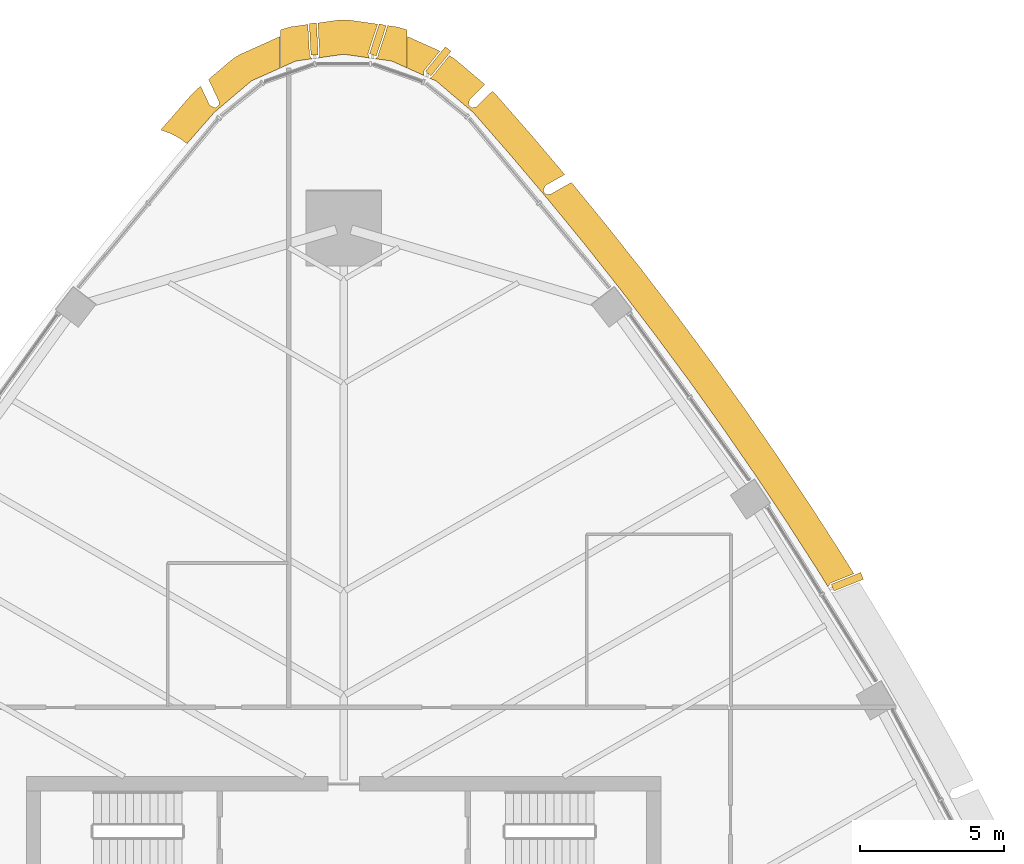
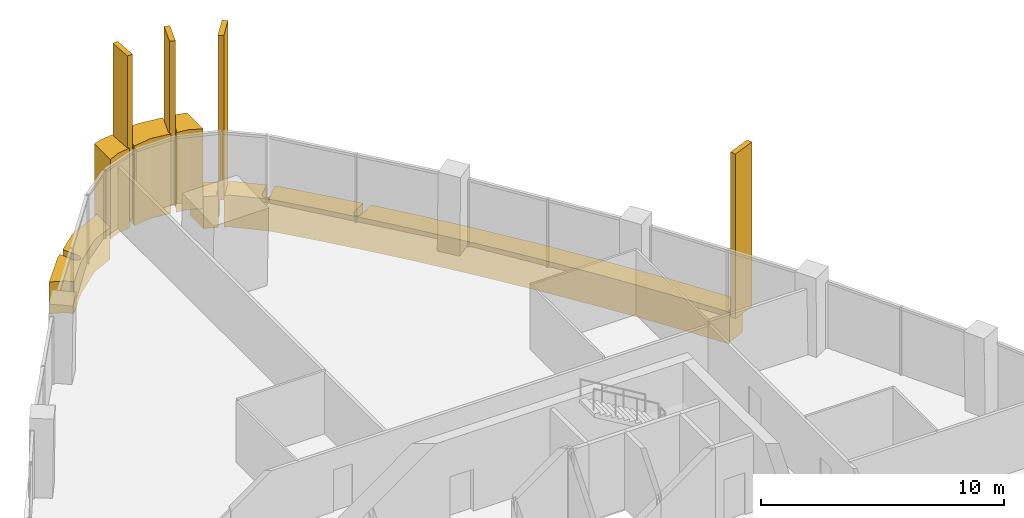
# One storey, part 18 of 19: 10 coverings.
"""IFC4 building model written with IfcOpenShell, lengths in metres."""

from ifc_helpers import new_model, si_unit, direction, frame, origin, origin_2d, place, context, subcontext, project, spatial, polyline, rectangle, outline, extrude, material, layer, layer_set, material_profile, profile_set, type_object, element, save


model = new_model("IFC4")

# Units and contexts
model_context = context("Model", 3, precision=1e-05, world=origin(), true_north=direction((0.0, 1.0)))
body_context = subcontext(model_context, "Body", "Model", "MODEL_VIEW")
ifc_project = project(units=[si_unit("LENGTHUNIT", "METRE"), si_unit("AREAUNIT", "SQUARE_METRE"), si_unit("VOLUMEUNIT", "CUBIC_METRE"), si_unit("PLANEANGLEUNIT", "RADIAN"), si_unit("MASSUNIT", "GRAM", prefix="KILO")], contexts=[model_context])

# Site, building, storey
site_placement = place(None, origin())
site = spatial("IfcSite", under=ifc_project, at=site_placement, CompositionType="ELEMENT")
building_placement = place(site_placement, origin())
building = spatial("IfcBuilding", under=site, at=building_placement, Name="Sierra Prisma Convention Tower", CompositionType="ELEMENT")
storey_placement = place(building_placement, frame((0.0, 0.0, 185.800048828125)))
storey = spatial("IfcBuildingStorey", under=building, at=storey_placement, Name="L41", CompositionType="ELEMENT", Elevation=185.800048828125)

# Coverings
ifc_material_1 = material(Name="Aluminium composite bronze anodised", Category="aluminium")
ifc_layer_1 = layer(ifc_material_1, 1.199951171875)
ifc_layer_set_1 = layer_set([ifc_layer_1], Name="Bronze corner pier")
covering_type_1 = type_object("IfcCoveringType", Name="Bronze corner pier", PredefinedType="CLADDING", material=ifc_layer_set_1)
covering_1_placement = place(storey_placement, frame((0.0, 0.0, -0.60009765625)))
element("IfcCovering", 1, at=covering_1_placement, inside=storey, type_object=covering_type_1, Name="Corner pier N L41.1", PredefinedType="CLADDING", context=body_context, shape_type="SweptSolid", body=[
    extrude(outline(polyline([(-1.241943359375, 34.068603515625), (-1.184814453125, 33.00146484375), (-1.184326171875, 32.996337890625), (-1.183349609375, 32.991455078125), (-1.181884765625, 32.986572265625), (-1.179931640625, 32.98193359375), (-1.177490234375, 32.9775390625), (-1.174560546875, 32.973388671875), (-1.099853515625, 32.876708984375), (-1.666259765625, 32.796630859375), (-2.199951171875, 32.556884765625), (-2.199951171875, 33.872314453125), (-2.157958984375, 33.89111328125), (-1.834716796875, 33.984619140625), (-1.241943359375, 34.068603515625)])), origin(), (0.0, 0.0, 1.0), 4.0),
])
covering_2_placement = place(storey_placement, frame((0.0, 0.0, -0.60009765625)))
element("IfcCovering", 2, at=covering_2_placement, inside=storey, type_object=covering_type_1, Name="Corner pier N L41.2", PredefinedType="CLADDING", context=body_context, shape_type="SweptSolid", body=[
    extrude(outline(polyline([(-0.168212890625, 34.220703125), (0.168212890625, 34.220703125), (1.17431640625, 34.078125), (0.84375, 33.06494140625), (0.842529296875, 33.060546875), (0.841796875, 33.055908203125), (0.84130859375, 33.05126953125), (0.84130859375, 33.046630859375), (0.841796875, 33.0419921875), (0.8427734375, 33.037353515625), (0.843994140625, 33.032958984375), (0.88818359375, 32.90673828125), (0.0, 33.03271484375), (-0.8837890625, 32.907470703125), (-0.840576171875, 32.9951171875), (-0.83837890625, 33.0), (-0.8369140625, 33.0048828125), (-0.8359375, 33.009765625), (-0.83544921875, 33.014892578125), (-0.83544921875, 33.02001953125), (-0.894287109375, 34.117919921875), (-0.168212890625, 34.220703125)])), origin(), (0.0, 0.0, 1.0), 4.0),
])
covering_3_placement = place(storey_placement, frame((0.0, 0.0, -0.60009765625)))
element("IfcCovering", 3, at=covering_3_placement, inside=storey, type_object=covering_type_1, Name="Corner pier N L41.3", PredefinedType="CLADDING", context=body_context, shape_type="SweptSolid", body=[
    extrude(outline(polyline([(2.157958984375, 33.89111328125), (2.199951171875, 33.872314453125), (2.199951171875, 32.556884765625), (1.666259765625, 32.796630859375), (1.1044921875, 32.876220703125), (1.16455078125, 32.936767578125), (1.167724609375, 32.940185546875), (1.17041015625, 32.944091796875), (1.1728515625, 32.947998046875), (1.1748046875, 32.9521484375), (1.176513671875, 32.956298828125), (1.517578125, 34.002197265625), (1.518798828125, 34.007080078125), (1.519775390625, 34.01171875), (1.52001953125, 34.0166015625), (1.52001953125, 34.021484375), (1.519287109375, 34.026611328125), (1.5185546875, 34.029541015625), (1.834716796875, 33.984619140625), (2.157958984375, 33.89111328125)])), origin(), (0.0, 0.0, 1.0), 4.0),
])
ifc_material_2 = material(Name="Aluminium 6063-T6 bronze anodised", Category="aluminium")
ifc_material_profile = material_profile(ifc_material_2, rectangle(XDim=1.10009765625, YDim=0.25, at=origin_2d()), Name="ALU FIN 1100x250")
ifc_profile_set = profile_set([ifc_material_profile], Name="Aluminium 6063-T6 bronze anodised")
covering_type_2 = type_object("IfcCoveringType", Name="Bronze facade fin", PredefinedType="CLADDING", material=ifc_profile_set)
for number, where, z_axis, x_axis, name in (
    (4, (17.452392578125, 14.7529296875, -0.300048828125), (0.0, 0.0, 1.0), (0.928093641957, 0.372346870215, 0.0), "Fin L41.33"),
    (5, (3.27294921875, 32.788818359375, -0.300048828125), (0.0, 0.0, 1.0), (0.631842133948, 0.775097102154, 0.0), "Fin L41.41"),
    (6, (1.1806640625, 33.53369140625, -0.300048828125), (0.0, 0.0, 1.0), (0.310046856902, 0.950721276992, 0.0), "Fin L41.42"),
    (7, (-1.03955078125, 33.559814453125, -0.300048828125), (0.0, 0.0, 1.0), (-0.053417493372, 0.998572266489, 0.0), "Fin L41.43"),
):
    element("IfcCovering", number, at=place(storey_placement, frame(where, z_axis=z_axis, x_axis=x_axis)), inside=storey, type_object=covering_type_2, Name=name, ObjectType="FIN", PredefinedType="CLADDING", context=body_context, shape_type="SweptSolid", body=[
        extrude(rectangle(XDim=1.10009765625, YDim=0.25, at=origin_2d()), origin(), (0.0, 0.0, 1.0), 8.25),
    ])
ifc_material_3 = material(Name="Aluminium composite bronze anodised", Category="aluminium")
ifc_layer_2 = layer(ifc_material_3, 1.0)
ifc_layer_set_2 = layer_set([ifc_layer_2], Name="Bronze spandrel band")
covering_type_3 = type_object("IfcCoveringType", Name="Bronze spandrel band", PredefinedType="CLADDING", material=ifc_layer_set_2)
covering_4_placement = place(storey_placement, frame((0.0, 0.0, -1.60009765625)))
element("IfcCovering", 8, at=covering_4_placement, inside=storey, type_object=covering_type_3, Name="Spandrel band L41.1", PredefinedType="CLADDING", context=body_context, shape_type="SweptSolid", body=[
    extrude(outline(polyline([(-5.23779296875, 31.676513671875), (-5.1318359375, 31.781005859375), (-4.9599609375, 31.9267578125), (-4.652587890625, 31.277099609375), (-4.650146484375, 31.272705078125), (-4.647216796875, 31.2685546875), (-4.644287109375, 31.264892578125), (-4.640625, 31.26123046875), (-4.63671875, 31.25830078125), (-4.632568359375, 31.25537109375), (-4.628173828125, 31.253173828125), (-4.4755859375, 31.182861328125), (-4.47119140625, 31.180908203125), (-4.466796875, 31.1796875), (-4.462158203125, 31.1787109375), (-4.45751953125, 31.17822265625), (-4.45263671875, 31.17822265625), (-4.447998046875, 31.1787109375), (-4.443359375, 31.179443359375), (-4.438720703125, 31.180908203125), (-4.434326171875, 31.1826171875), (-4.43017578125, 31.1845703125), (-4.426025390625, 31.187255859375), (-4.42236328125, 31.18994140625), (-4.34619140625, 31.2548828125), (-4.342529296875, 31.258056640625), (-4.33935546875, 31.261962890625), (-4.33642578125, 31.265869140625), (-4.333984375, 31.270263671875), (-4.331787109375, 31.274658203125), (-4.330322265625, 31.279296875), (-4.329345703125, 31.2841796875), (-4.32861328125, 31.289306640625), (-4.32861328125, 31.294189453125), (-4.331298828125, 31.40673828125), (-4.331787109375, 31.411865234375), (-4.33251953125, 31.4169921875), (-4.333984375, 31.422119140625), (-4.336181640625, 31.427001953125), (-4.68359375, 32.1611328125), (-3.848388671875, 32.86962890625), (-3.611083984375, 33.019287109375), (-2.2099609375, 33.648681640625), (-2.2099609375, 32.552490234375), (-3.201416015625, 32.107177734375), (-4.48486328125, 31.018310546875), (-5.432373046875, 29.9345703125), (-5.610107421875, 30.068115234375), (-5.820068359375, 30.196044921875), (-6.04150390625, 30.302978515625), (-6.2724609375, 30.3876953125), (-6.347412109375, 30.406982421875), (-5.23779296875, 31.676513671875)])), origin(), (0.0, 0.0, 1.0), 1.60009765625),
])
covering_5_placement = place(storey_placement, frame((0.0, 0.0, -1.60009765625)))
element("IfcCovering", 9, at=covering_5_placement, inside=storey, type_object=covering_type_3, Name="Spandrel band L41.3", PredefinedType="CLADDING", context=body_context, shape_type="SweptSolid", body=[
    extrude(outline(polyline([(2.7841796875, 32.46484375), (2.7822265625, 32.46044921875), (2.780517578125, 32.455810546875), (2.779296875, 32.450927734375), (2.77880859375, 32.44580078125), (2.778564453125, 32.44091796875), (2.7802734375, 32.296142578125), (2.2099609375, 32.552490234375), (2.2099609375, 33.648681640625), (3.335693359375, 33.14306640625), (2.789794921875, 32.47314453125), (2.786865234375, 32.46923828125), (2.7841796875, 32.46484375)])), origin(), (0.0, 0.0, 1.0), 1.60009765625),
])
covering_6_placement = place(storey_placement, frame((0.0, 0.0, -1.60009765625)))
element("IfcCovering", 10, at=covering_6_placement, inside=storey, type_object=covering_type_3, Name="Spandrel band L41.4", PredefinedType="CLADDING", context=body_context, shape_type="SweptSolid", body=[
    extrude(outline(polyline([(4.360107421875, 31.459716796875), (4.3583984375, 31.455078125), (4.357421875, 31.4501953125), (4.329345703125, 31.302001953125), (4.32861328125, 31.29736328125), (4.32861328125, 31.29248046875), (4.328857421875, 31.287841796875), (4.32958984375, 31.283203125), (4.33056640625, 31.278564453125), (4.332275390625, 31.27392578125), (4.334228515625, 31.26953125), (4.336669921875, 31.265380859375), (4.339599609375, 31.26171875), (4.3427734375, 31.258056640625), (4.34619140625, 31.2548828125), (4.42236328125, 31.18994140625), (4.42626953125, 31.18701171875), (4.430419921875, 31.1845703125), (4.434814453125, 31.182373046875), (4.439208984375, 31.1806640625), (4.44384765625, 31.179443359375), (4.44873046875, 31.178466796875), (4.45361328125, 31.17822265625), (4.45849609375, 31.17822265625), (4.463134765625, 31.178955078125), (4.468017578125, 31.179931640625), (4.595458984375, 31.21484375), (4.600341796875, 31.216552734375), (4.60498046875, 31.218505859375), (4.609375, 31.22119140625), (4.613525390625, 31.22412109375), (4.6171875, 31.2275390625), (5.154296875, 31.758544921875), (5.23779296875, 31.676513671875), (6.54296875, 30.18359375), (6.5537109375, 30.171142578125), (7.65966796875, 28.864013671875), (7.005126953125, 28.495361328125), (7.001220703125, 28.492919921875), (6.99755859375, 28.489990234375), (6.993896484375, 28.487060546875), (6.990966796875, 28.4833984375), (6.98828125, 28.479736328125), (6.985595703125, 28.475830078125), (6.983642578125, 28.4716796875), (6.920654296875, 28.3251953125), (6.918701171875, 28.320556640625), (6.91748046875, 28.31591796875), (6.916748046875, 28.310791015625), (6.91650390625, 28.305908203125), (6.916748046875, 28.30078125), (6.91748046875, 28.2958984375), (6.91845703125, 28.291259765625), (6.920166015625, 28.28662109375), (6.92236328125, 28.281982421875), (6.9248046875, 28.277587890625), (6.927734375, 28.273681640625), (6.9912109375, 28.1962890625), (6.99462890625, 28.192626953125), (6.99853515625, 28.189208984375), (7.002685546875, 28.18603515625), (7.00732421875, 28.18359375), (7.011962890625, 28.181396484375), (7.016845703125, 28.1796875), (7.02197265625, 28.1787109375), (7.027099609375, 28.17822265625), (7.0322265625, 28.17822265625), (7.15478515625, 28.18408203125), (7.1591796875, 28.1845703125), (7.163818359375, 28.185302734375), (7.168212890625, 28.1865234375), (7.172607421875, 28.188232421875), (7.1767578125, 28.1904296875), (7.888671875, 28.59130859375), (9.10107421875, 27.110107421875), (9.111328125, 27.097412109375), (10.34228515625, 25.54248046875), (10.352294921875, 25.52978515625), (11.55810546875, 23.955078125), (11.56787109375, 23.942138671875), (12.747802734375, 22.348388671875), (12.75732421875, 22.335205078125), (13.9111328125, 20.72216796875), (13.920654296875, 20.708984375), (15.048095703125, 19.077392578125), (15.057373046875, 19.064208984375), (16.158203125, 17.41455078125), (16.1669921875, 17.40087890625), (17.2412109375, 15.73388671875), (17.249755859375, 15.72021484375), (17.677490234375, 15.031982421875), (16.876953125, 14.710693359375), (16.872802734375, 14.708740234375), (16.86865234375, 14.706298828125), (16.86474609375, 14.70361328125), (16.861328125, 14.70068359375), (16.858154296875, 14.697509765625), (16.855224609375, 14.69384765625), (16.8525390625, 14.68994140625), (16.783935546875, 14.5751953125), (16.400390625, 15.1923828125), (15.326416015625, 16.859375), (14.2255859375, 18.509033203125), (13.097900390625, 20.140380859375), (11.944091796875, 21.75341796875), (10.763916015625, 23.34716796875), (9.558349609375, 24.921875), (8.327392578125, 26.4765625), (7.071044921875, 28.01123046875), (5.790283203125, 29.525390625), (4.48486328125, 31.018310546875), (3.201416015625, 32.107177734375), (2.98046875, 32.206298828125), (3.044921875, 32.239013671875), (3.04931640625, 32.24169921875), (3.0537109375, 32.24462890625), (3.0576171875, 32.248291015625), (3.06103515625, 32.252197265625), (3.660888671875, 32.98779296875), (3.848388671875, 32.86962890625), (4.88818359375, 31.987548828125), (4.37109375, 31.4765625), (4.367919921875, 31.47265625), (4.36474609375, 31.46875), (4.3623046875, 31.46435546875), (4.360107421875, 31.459716796875)])), origin(), (0.0, 0.0, 1.0), 1.60009765625),
])

save(model, "model.ifc")
